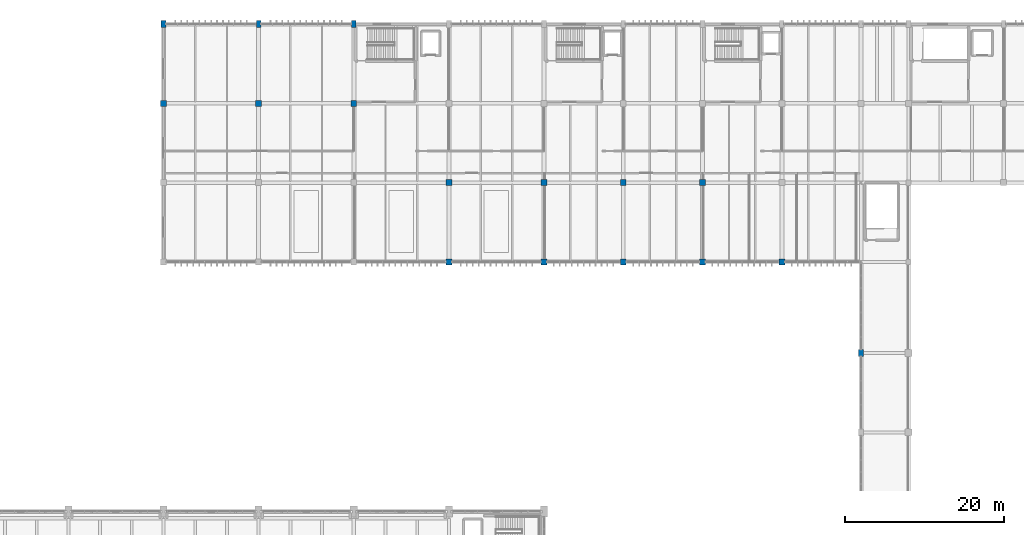
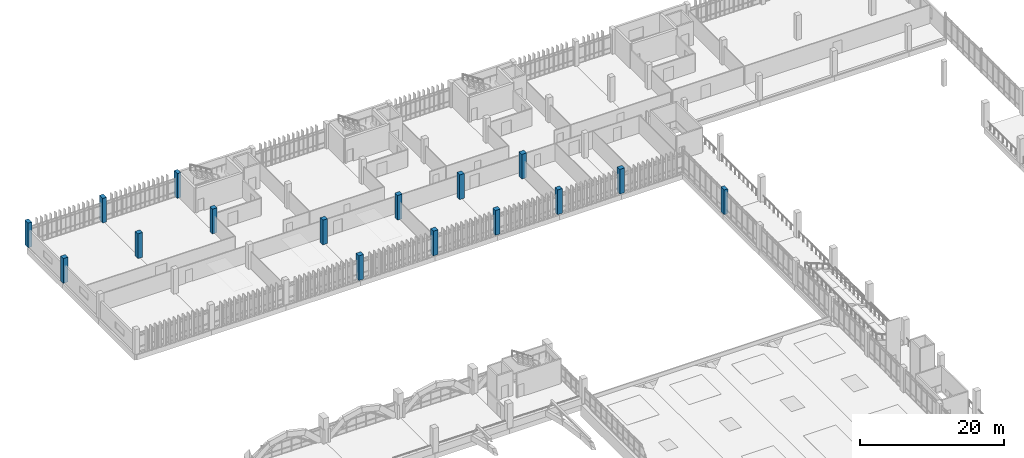
# One storey, part 2 of 161: 16 columns.
"""IFC4 building model written with IfcOpenShell, lengths in metres."""

from ifc_helpers import new_model, si_unit, direction, frame, origin, origin_2d, place, context, subcontext, project, spatial, rectangle, extrude, material, material_profile, profile_set, type_object, element, save


model = new_model("IFC4")

# Units and contexts
model_context = context("Model", 3, precision=1e-05, world=origin(), true_north=direction((0.0, 1.0)))
body_context = subcontext(model_context, "Body", "Model", "MODEL_VIEW")
ifc_project = project(units=[si_unit("LENGTHUNIT", "METRE"), si_unit("AREAUNIT", "SQUARE_METRE"), si_unit("VOLUMEUNIT", "CUBIC_METRE"), si_unit("PLANEANGLEUNIT", "RADIAN"), si_unit("MASSUNIT", "GRAM", prefix="KILO")], contexts=[model_context])

# Site, building, storey
site_placement = place(None, origin())
site = spatial("IfcSite", under=ifc_project, at=site_placement, CompositionType="ELEMENT")
building_placement = place(site_placement, origin())
building = spatial("IfcBuilding", under=site, at=building_placement, Name="Mersad Railyard Sports Hall", CompositionType="ELEMENT")
storey_placement = place(building_placement, frame((0.0, 0.0, 4.800048828125)))
storey = spatial("IfcBuildingStorey", under=building, at=storey_placement, Name="L01", CompositionType="ELEMENT", Elevation=4.800048828125)

# Columns
ifc_material = material(Name="Concrete C50/60", Category="concrete")
ifc_material_profile_1 = material_profile(ifc_material, rectangle(XDim=0.75, YDim=0.75, at=origin_2d()), Name="RC 750x750")
ifc_profile_set_1 = profile_set([ifc_material_profile_1], Name="Concrete C50/60")
column_type_1 = type_object("IfcColumnType", Name="STR-COL-C03", PredefinedType="COLUMN", material=ifc_profile_set_1)
for number, where, z_axis, x_axis, name in (
    (1, (43.0, 105.0, 0.0), (0.0, 0.0, 1.0), (1.0, 0.0, 0.0), "Column C03 L01 (43.0,105.0)"),
    (2, (55.0, 105.0, 0.0), (0.0, 0.0, 1.0), (1.0, 0.0, 0.0), "Column C03 L01 (55.0,105.0)"),
    (3, (67.0, 105.0, 0.0), (0.0, 0.0, 1.0), (1.0, 0.0, 0.0), "Column C03 L01 (67.0,105.0)"),
    (4, (79.0, 85.0, 0.0), (0.0, 0.0, 1.0), (1.0, 0.0, 0.0), "Column C03 L01 (79.0,85.0)"),
    (5, (79.0, 95.0, 0.0), (0.0, 0.0, 1.0), (1.0, 0.0, 0.0), "Column C03 L01 (79.0,95.0)"),
    (6, (91.0, 85.0, 0.0), (0.0, 0.0, 1.0), (1.0, 0.0, 0.0), "Column C03 L01 (91.0,85.0)"),
    (7, (91.0, 95.0, 0.0), (0.0, 0.0, 1.0), (1.0, 0.0, 0.0), "Column C03 L01 (91.0,95.0)"),
    (8, (101.0, 85.0, 0.0), (0.0, 0.0, 1.0), (1.0, 0.0, 0.0), "Column C03 L01 (101.0,85.0)"),
    (9, (101.0, 95.0, 0.0), (0.0, 0.0, 1.0), (1.0, 0.0, 0.0), "Column C03 L01 (101.0,95.0)"),
    (10, (111.0, 85.0, 0.0), (0.0, 0.0, 1.0), (1.0, 0.0, 0.0), "Column C03 L01 (111.0,85.0)"),
    (11, (111.0, 95.0, 0.0), (0.0, 0.0, 1.0), (1.0, 0.0, 0.0), "Column C03 L01 (111.0,95.0)"),
    (12, (121.0, 85.0, 0.0), (0.0, 0.0, 1.0), (1.0, 0.0, 0.0), "Column C03 L01 (121.0,85.0)"),
):
    element("IfcColumn", number, at=place(storey_placement, frame(where, z_axis=z_axis, x_axis=x_axis)), inside=storey, type_object=column_type_1, Name=name, PredefinedType="COLUMN", context=body_context, shape_type="SweptSolid", body=[
        extrude(rectangle(XDim=0.75, YDim=0.75, at=origin_2d()), origin(), (0.0, 0.0, 1.0), 4.199951171875),
    ])
ifc_material_profile_2 = material_profile(ifc_material, rectangle(XDim=0.60009765625, YDim=0.89990234375, at=origin_2d()), Name="RC 600x900")
ifc_profile_set_2 = profile_set([ifc_material_profile_2], Name="Concrete C50/60")
column_type_2 = type_object("IfcColumnType", Name="STR-COL-C07", PredefinedType="COLUMN", material=ifc_profile_set_2)
for number, where, z_axis, x_axis, name in (
    (13, (131.0, 73.5, 0.0), (0.0, 0.0, 1.0), (1.0, 0.0, 0.0), "Column C07 L01 (131.0,73.5)"),
    (14, (43.0, 115.0, 0.0), (0.0, 0.0, 1.0), (1.0, 0.0, 0.0), "Column C07 L01 (43.0,115.0)"),
    (15, (55.0, 115.0, 0.0), (0.0, 0.0, 1.0), (1.0, 0.0, 0.0), "Column C07 L01 (55.0,115.0)"),
    (16, (67.0, 115.0, 0.0), (0.0, 0.0, 1.0), (1.0, 0.0, 0.0), "Column C07 L01 (67.0,115.0)"),
):
    element("IfcColumn", number, at=place(storey_placement, frame(where, z_axis=z_axis, x_axis=x_axis)), inside=storey, type_object=column_type_2, Name=name, PredefinedType="COLUMN", context=body_context, shape_type="SweptSolid", body=[
        extrude(rectangle(XDim=0.60009765625, YDim=0.89990234375, at=origin_2d()), origin(), (0.0, 0.0, 1.0), 4.199951171875),
    ])

save(model, "model.ifc")
